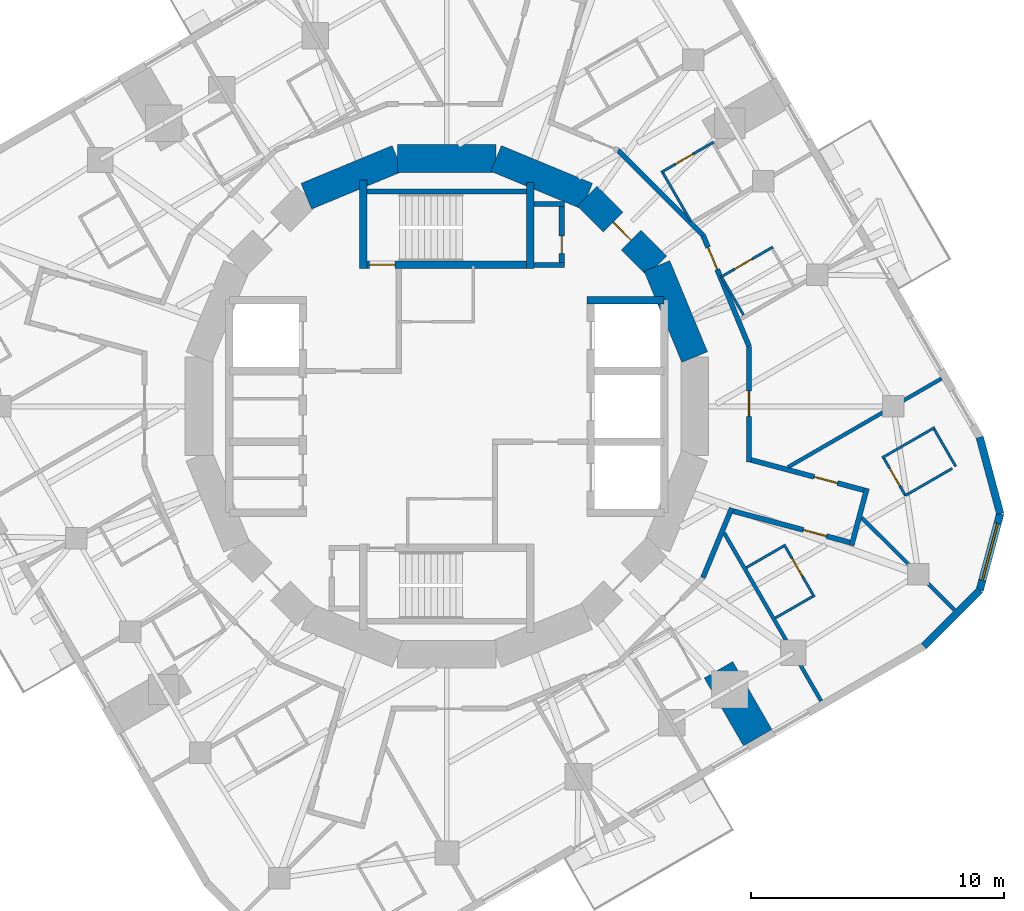
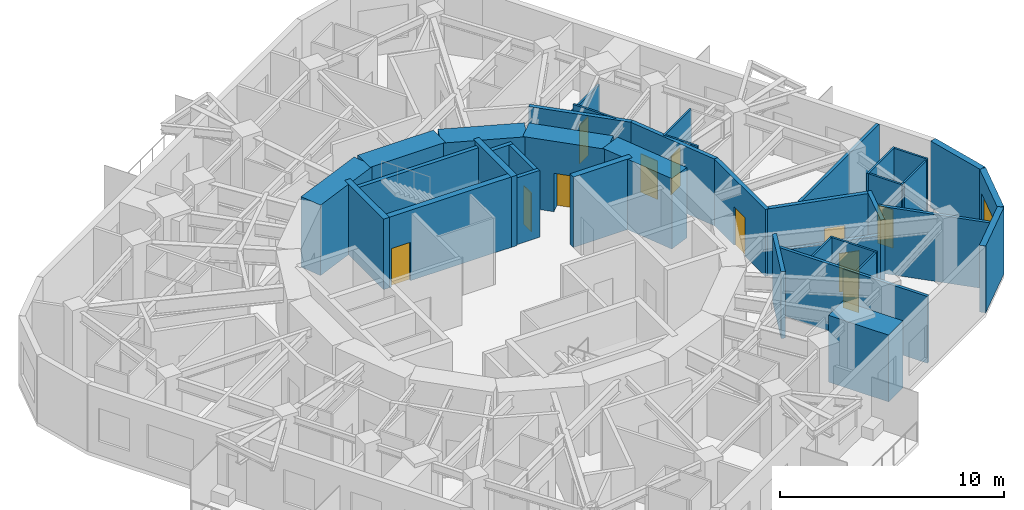
# One storey, part 7 of 11: 39 walls, 11 doors, 1 window, 12 openings.
"""IFC4 building model written with IfcOpenShell, lengths in metres."""

from ifc_helpers import new_model, si_unit, direction, frame, frame_2d, origin, place, context, subcontext, project, spatial, rectangle, extrude, material, layer, layer_set, type_object, element, fill, save


model = new_model("IFC4")

# Units and contexts
model_context = context("Model", 3, precision=1e-05, world=origin(), true_north=direction((0.0, 1.0)))
body_context = subcontext(model_context, "Body", "Model", "MODEL_VIEW")
ifc_project = project(units=[si_unit("LENGTHUNIT", "METRE"), si_unit("AREAUNIT", "SQUARE_METRE"), si_unit("VOLUMEUNIT", "CUBIC_METRE"), si_unit("PLANEANGLEUNIT", "RADIAN"), si_unit("MASSUNIT", "GRAM", prefix="KILO")], contexts=[model_context])

# Site, building, storey
site_placement = place(None, origin())
site = spatial("IfcSite", under=ifc_project, at=site_placement, CompositionType="ELEMENT")
building_placement = place(site_placement, origin())
building = spatial("IfcBuilding", under=site, at=building_placement, Name="Nakasero Lantern House", CompositionType="ELEMENT")
storey_placement = place(building_placement, frame((0.0, 0.0, 250.050048828125)))
storey = spatial("IfcBuildingStorey", under=building, at=storey_placement, Name="L61", CompositionType="ELEMENT", Elevation=250.050048828125)

# Walls
ifc_material_1 = material(Name="Blockwork", Category="masonry")
ifc_layer_1 = layer(ifc_material_1, 1.300048828125)
ifc_layer_set_1 = layer_set([ifc_layer_1], Name="Column pier 1300")
wall_type_1 = type_object("IfcWallType", Name="Column pier 1300", PredefinedType="PARTITIONING", material=ifc_layer_set_1)
wall_1_placement = place(storey_placement, frame((10.75048828125, -10.4208984375, 0.0), z_axis=(0.0, 0.0, 1.0), x_axis=(0.499933790963, -0.866063626216, 0.0)))
element("IfcWall", 1, at=wall_1_placement, inside=storey, type_object=wall_type_1, Name="Column pier L61 PN3-05", PredefinedType="PARTITIONING", context=body_context, shape_type="SweptSolid", body=[
    extrude(rectangle(XDim=3.10009765625, YDim=1.300048828125, at=frame_2d((1.550048828125, 0.0))), origin(), (0.0, 0.0, 1.0), 3.64990234375),
])
ifc_material_2 = material(Name="Concrete C50/60", Category="concrete")
ifc_layer_2 = layer(ifc_material_2, 0.300048828125)
ifc_layer_set_2 = layer_set([ifc_layer_2], Name="Core inner wall 300")
wall_type_2 = type_object("IfcWallType", Name="Core inner wall 300", PredefinedType="SHEAR", material=ifc_layer_set_2)
wall_2_placement = place(storey_placement, frame((5.550048828125, 4.199951171875, 0.0), z_axis=(0.0, 0.0, 1.0), x_axis=(1.0, 0.0, 0.0)))
element("IfcWall", 2, at=wall_2_placement, inside=storey, type_object=wall_type_2, Name="Core inner wall L61 LEN", PredefinedType="SHEAR", context=body_context, shape_type="SweptSolid", body=[
    extrude(rectangle(XDim=3.050048828125, YDim=0.300048828125, at=frame_2d((1.52490234375, 0.0))), origin(), (0.0, 0.0, 1.0), 3.849853515625),
])

# Wall, opening, door
wall_3_placement = place(storey_placement, frame((-3.449951171875, 5.60009765625, 0.0), z_axis=(0.0, 0.0, 1.0), x_axis=(1.0, 0.0, 0.0)))
wall_3 = element("IfcWall", 3, at=wall_3_placement, inside=storey, type_object=wall_type_2, Name="Core inner wall L61 SN", PredefinedType="SHEAR", context=body_context, shape_type="SweptSolid", body=[
    extrude(rectangle(XDim=6.89990234375, YDim=0.300048828125, at=frame_2d((3.449951171875, 0.0))), origin(), (0.0, 0.0, 1.0), 3.849853515625),
])
opening_1_placement = place(wall_3_placement, frame((0.39990234375, 0.0, 0.0)))
opening_1 = element("IfcOpeningElement", 4, at=opening_1_placement, cuts=wall_3, Name="Opening D05", PredefinedType="OPENING", context=body_context, shape_type="SweptSolid", body=[
    extrude(rectangle(XDim=1.0, YDim=2.10009765625, at=frame_2d((0.5, 1.050048828125))), frame((0.0, 0.169921875, 0.0), z_axis=(0.0, -1.0, 0.0), x_axis=(1.0, 0.0, 0.0)), (0.0, 0.0, 1.0), 0.340087890625),
])
ifc_material_3 = material(Name="Timber C24", Category="wood")
door_type_1 = type_object("IfcDoorType", Name="Core door FD60S 1000", OperationType="SINGLE_SWING_LEFT", PredefinedType="DOOR", material=ifc_material_3)
door_1_placement = place(opening_1_placement, origin())
door_1 = element("IfcDoor", 5, at=door_1_placement, inside=storey, type_object=door_type_1, Name="Door L61 D-ST1", OperationType="SINGLE_SWING_LEFT", OverallHeight=2.10009765625, OverallWidth=1.0, PredefinedType="DOOR", context=body_context, shape_type="SweptSolid", body=[
    extrude(rectangle(XDim=1.0, YDim=2.10009765625, at=frame_2d((0.5, 1.050048828125))), frame((0.0, 0.02490234375, 0.0), z_axis=(0.0, -1.0, 0.0), x_axis=(1.0, 0.0, 0.0)), (0.0, 0.0, 1.0), 0.050048828125),
])
fill(opening_1, door_1)

# Walls
wall_4_placement = place(storey_placement, frame((-3.300048828125, 5.449951171875, 0.0), z_axis=(0.0, 0.0, 1.0), x_axis=(0.0, 1.0, 0.0)))
element("IfcWall", 6, at=wall_4_placement, inside=storey, type_object=wall_type_2, Name="Core inner wall L61 SNW", PredefinedType="SHEAR", context=body_context, shape_type="SweptSolid", body=[
    extrude(rectangle(XDim=3.5, YDim=0.300048828125, at=frame_2d((1.75, 0.0))), origin(), (0.0, 0.0, 1.0), 3.849853515625),
])
wall_5_placement = place(storey_placement, frame((3.300048828125, 5.449951171875, 0.0), z_axis=(0.0, 0.0, 1.0), x_axis=(0.0, 1.0, 0.0)))
element("IfcWall", 7, at=wall_5_placement, inside=storey, type_object=wall_type_2, Name="Core inner wall L61 SNE", PredefinedType="SHEAR", context=body_context, shape_type="SweptSolid", body=[
    extrude(rectangle(XDim=3.400146484375, YDim=0.300048828125, at=frame_2d((1.7001953125, 0.0))), origin(), (0.0, 0.0, 1.0), 3.849853515625),
])
ifc_material_4 = material(Name="Concrete C50/60", Category="concrete")
ifc_layer_3 = layer(ifc_material_4, 1.10009765625)
ifc_layer_set_3 = layer_set([ifc_layer_3], Name="Core wall 1100")
wall_type_3 = type_object("IfcWallType", Name="Core wall 1100", PredefinedType="SHEAR", material=ifc_layer_set_3)
wall_6_placement = place(storey_placement, frame((9.807861328125, 1.950927734375, 0.0), z_axis=(0.0, 0.0, 1.0), x_axis=(-0.382690736062, 0.923876507187, 0.0)))
element("IfcWall", 8, at=wall_6_placement, inside=storey, type_object=wall_type_3, Name="Core wall L61 facet 1", PredefinedType="SHEAR", context=body_context, shape_type="SweptSolid", body=[
    extrude(rectangle(XDim=3.90185546875, YDim=1.10009765625, at=frame_2d((1.950927734375, 0.0))), origin(), (0.0, 0.0, 1.0), 3.849853515625),
])

# Wall, opening, door
wall_7_placement = place(storey_placement, frame((8.314697265625, 5.5556640625, 0.0), z_axis=(0.0, 0.0, 1.0), x_axis=(-0.707106781187, 0.707106781187, 0.0)))
wall_7 = element("IfcWall", 9, at=wall_7_placement, inside=storey, type_object=wall_type_3, Name="Core wall L61 facet 2", PredefinedType="SHEAR", context=body_context, shape_type="SweptSolid", body=[
    extrude(rectangle(XDim=3.90185546875, YDim=1.10009765625, at=frame_2d((1.950927734375, 0.0))), origin(), (0.0, 0.0, 1.0), 3.849853515625),
])
opening_2_placement = place(wall_7_placement, frame((1.450927734375, 0.0, 0.0)))
opening_2 = element("IfcOpeningElement", 10, at=opening_2_placement, cuts=wall_7, Name="Opening D05", PredefinedType="OPENING", context=body_context, shape_type="SweptSolid", body=[
    extrude(rectangle(XDim=1.0, YDim=2.10009765625, at=frame_2d((0.5, 1.050048828125))), frame((0.0, 0.570068359375, 0.0), z_axis=(0.0, -1.0, 0.0), x_axis=(1.0, 0.0, 0.0)), (0.0, 0.0, 1.0), 1.14013671875),
])
door_2_placement = place(opening_2_placement, origin())
door_2 = element("IfcDoor", 11, at=door_2_placement, inside=storey, type_object=door_type_1, Name="Door L61 D-CORE02", OperationType="SINGLE_SWING_LEFT", OverallHeight=2.10009765625, OverallWidth=1.0, PredefinedType="DOOR", context=body_context, shape_type="SweptSolid", body=[
    extrude(rectangle(XDim=1.0, YDim=2.10009765625, at=frame_2d((0.5, 1.050048828125))), frame((0.0, 0.02490234375, 0.0), z_axis=(0.0, -1.0, 0.0), x_axis=(1.0, 0.0, 0.0)), (0.0, 0.0, 1.0), 0.050048828125),
])
fill(opening_2, door_2)

# Walls
for number, where, z_axis, x_axis, name in (
    (12, (5.5556640625, 8.314697265625, 0.0), (0.0, 0.0, 1.0), (-0.923876507187, 0.382690736062, 0.0), "Core wall L61 facet 3"),
    (13, (1.950927734375, 9.807861328125, 0.0), (0.0, 0.0, 1.0), (-1.0, 0.0, 0.0), "Core wall L61 facet 4"),
    (14, (-1.950927734375, 9.807861328125, 0.0), (0.0, 0.0, 1.0), (-0.923876507187, -0.382690736062, 0.0), "Core wall L61 facet 5"),
):
    element("IfcWall", number, at=place(storey_placement, frame(where, z_axis=z_axis, x_axis=x_axis)), inside=storey, type_object=wall_type_3, Name=name, PredefinedType="SHEAR", context=body_context, shape_type="SweptSolid", body=[
        extrude(rectangle(XDim=3.90185546875, YDim=1.10009765625, at=frame_2d((1.950927734375, 0.0))), origin(), (0.0, 0.0, 1.0), 3.849853515625),
    ])

# Wall, opening, door
ifc_material_5 = material(Name="Blockwork", Category="masonry")
ifc_layer_4 = layer(ifc_material_5, 0.199951171875)
ifc_layer_set_4 = layer_set([ifc_layer_4], Name="Corridor wall 200")
wall_type_4 = type_object("IfcWallType", Name="Corridor wall 200", PredefinedType="PARTITIONING", material=ifc_layer_set_4)
wall_8_placement = place(storey_placement, frame((11.957763671875, 2.378662109375, 0.0), z_axis=(0.0, 0.0, 1.0), x_axis=(0.0, -1.0, 0.0)))
wall_8 = element("IfcWall", 15, at=wall_8_placement, inside=storey, type_object=wall_type_4, Name="Corridor wall L61 RC00a", PredefinedType="PARTITIONING", context=body_context, shape_type="SweptSolid", body=[
    extrude(rectangle(XDim=4.57861328125, YDim=0.199951171875, at=frame_2d((2.289306640625, 0.0))), origin(), (0.0, 0.0, 1.0), 3.64990234375),
])
opening_3_placement = place(wall_8_placement, frame((1.77001953125, 0.0, 0.0)))
opening_3 = element("IfcOpeningElement", 16, at=opening_3_placement, cuts=wall_8, Name="Opening D03", PredefinedType="OPENING", context=body_context, shape_type="SweptSolid", body=[
    extrude(rectangle(XDim=1.0, YDim=2.10009765625, at=frame_2d((0.5, 1.050048828125))), frame((0.0, 0.119873046875, 0.0), z_axis=(0.0, -1.0, 0.0), x_axis=(1.0, 0.0, 0.0)), (0.0, 0.0, 1.0), 0.239990234375),
])
ifc_material_6 = material(Name="Timber C24", Category="wood")
door_type_2 = type_object("IfcDoorType", Name="Lounge door FD30S 1000", OperationType="SINGLE_SWING_LEFT", PredefinedType="DOOR", material=ifc_material_6)
door_3_placement = place(opening_3_placement, origin())
door_3 = element("IfcDoor", 17, at=door_3_placement, inside=storey, type_object=door_type_2, Name="Door L61 DK0", OperationType="SINGLE_SWING_LEFT", OverallHeight=2.10009765625, OverallWidth=1.0, PredefinedType="DOOR", context=body_context, shape_type="SweptSolid", body=[
    extrude(rectangle(XDim=1.0, YDim=2.10009765625, at=frame_2d((0.5, 1.050048828125))), frame((0.0, 0.02490234375, 0.0), z_axis=(0.0, -1.0, 0.0), x_axis=(1.0, 0.0, 0.0)), (0.0, 0.0, 1.0), 0.050048828125),
])
fill(opening_3, door_3)

# Walls
wall_9_placement = place(storey_placement, frame((11.275634765625, -4.025634765625, 0.0), z_axis=(0.0, 0.0, 1.0), x_axis=(-0.382656259044, -0.923890787601, 0.0)))
element("IfcWall", 18, at=wall_9_placement, inside=storey, type_object=wall_type_4, Name="Corridor wall L61 RC01a", PredefinedType="PARTITIONING", context=body_context, shape_type="SweptSolid", body=[
    extrude(rectangle(XDim=2.974365234375, YDim=0.199951171875, at=frame_2d((1.4873046875, 0.0))), origin(), (0.0, 0.0, 1.0), 3.64990234375),
])
wall_10_placement = place(storey_placement, frame((6.773681640625, 10.137451171875, 0.0), z_axis=(0.0, 0.0, 1.0), x_axis=(0.707106781187, -0.707106781187, 0.0)))
element("IfcWall", 19, at=wall_10_placement, inside=storey, type_object=wall_type_4, Name="Corridor wall L61 RC14a", PredefinedType="PARTITIONING", context=body_context, shape_type="SweptSolid", body=[
    extrude(rectangle(XDim=4.757080078125, YDim=0.199951171875, at=frame_2d((2.37841796875, 0.0))), origin(), (0.0, 0.0, 1.0), 3.64990234375),
])

# Wall, opening, door
wall_11_placement = place(storey_placement, frame((10.137451171875, 6.773681640625, 0.0), z_axis=(0.0, 0.0, 1.0), x_axis=(0.382653970627, -0.923891735412, 0.0)))
wall_11 = element("IfcWall", 20, at=wall_11_placement, inside=storey, type_object=wall_type_4, Name="Corridor wall L61 RC15a", PredefinedType="PARTITIONING", context=body_context, shape_type="SweptSolid", body=[
    extrude(rectangle(XDim=4.757080078125, YDim=0.199951171875, at=frame_2d((2.37841796875, 0.0))), origin(), (0.0, 0.0, 1.0), 3.64990234375),
])
opening_4_placement = place(wall_11_placement, frame((0.52001953125, 0.0, 0.0)))
opening_4 = element("IfcOpeningElement", 21, at=opening_4_placement, cuts=wall_11, Name="Opening D01", PredefinedType="OPENING", context=body_context, shape_type="SweptSolid", body=[
    extrude(rectangle(XDim=0.949951171875, YDim=2.10009765625, at=frame_2d((0.47509765625, 1.050048828125))), frame((0.0, 0.119873046875, 0.0), z_axis=(0.0, -1.0, 0.0), x_axis=(1.0, 0.0, 0.0)), (0.0, 0.0, 1.0), 0.239990234375),
])
ifc_material_7 = material(Name="Timber C24", Category="wood")
door_type_3 = type_object("IfcDoorType", Name="Bedroom door FD30S 950", OperationType="SINGLE_SWING_LEFT", PredefinedType="DOOR", material=ifc_material_7)
door_4_placement = place(opening_4_placement, origin())
door_4 = element("IfcDoor", 22, at=door_4_placement, inside=storey, type_object=door_type_3, Name="Door L61 D0-03", OperationType="SINGLE_SWING_LEFT", OverallHeight=2.10009765625, OverallWidth=0.949951171875, PredefinedType="DOOR", context=body_context, shape_type="SweptSolid", body=[
    extrude(rectangle(XDim=0.949951171875, YDim=2.10009765625, at=frame_2d((0.47509765625, 1.050048828125))), frame((0.0, 0.02490234375, 0.0), z_axis=(0.0, -1.0, 0.0), x_axis=(1.0, 0.0, 0.0)), (0.0, 0.0, 1.0), 0.050048828125),
])
fill(opening_4, door_4)

wall_12_placement = place(storey_placement, frame((11.237060546875, -4.11865234375, 0.0), z_axis=(0.0, 0.0, 1.0), x_axis=(0.965923565769, -0.258827481333, 0.0)))
wall_12 = element("IfcWall", 23, at=wall_12_placement, inside=storey, type_object=wall_type_4, Name="Corridor wall L61 SP3a", PredefinedType="PARTITIONING", context=body_context, shape_type="SweptSolid", body=[
    extrude(rectangle(XDim=5.07373046875, YDim=0.199951171875, at=frame_2d((2.536865234375, 0.0))), origin(), (0.0, 0.0, 1.0), 2.809326171875),
])
opening_5_placement = place(wall_12_placement, frame((2.969970703125, 0.0, 0.0)))
opening_5 = element("IfcOpeningElement", 24, at=opening_5_placement, cuts=wall_12, Name="Opening D01", PredefinedType="OPENING", context=body_context, shape_type="SweptSolid", body=[
    extrude(rectangle(XDim=0.949951171875, YDim=2.10009765625, at=frame_2d((0.47509765625, 1.050048828125))), frame((0.0, 0.119873046875, 0.0), z_axis=(0.0, -1.0, 0.0), x_axis=(1.0, 0.0, 0.0)), (0.0, 0.0, 1.0), 0.239990234375),
])
door_5_placement = place(opening_5_placement, origin())
door_5 = element("IfcDoor", 25, at=door_5_placement, inside=storey, type_object=door_type_3, Name="Door L61 D3-06", OperationType="SINGLE_SWING_RIGHT", OverallHeight=2.10009765625, OverallWidth=0.949951171875, PredefinedType="DOOR", context=body_context, shape_type="SweptSolid", body=[
    extrude(rectangle(XDim=0.949951171875, YDim=2.10009765625, at=frame_2d((0.47509765625, 1.050048828125))), frame((0.0, 0.02490234375, 0.0), z_axis=(0.0, -1.0, 0.0), x_axis=(1.0, 0.0, 0.0)), (0.0, 0.0, 1.0), 0.050048828125),
])
fill(opening_5, door_5)

wall_13_placement = place(storey_placement, frame((11.957763671875, -2.096435546875, 0.0), z_axis=(0.0, 0.0, 1.0), x_axis=(0.965932486884, -0.258794186145, 0.0)))
wall_13 = element("IfcWall", 26, at=wall_13_placement, inside=storey, type_object=wall_type_4, Name="Corridor wall L61 SP3b", PredefinedType="PARTITIONING", context=body_context, shape_type="SweptSolid", body=[
    extrude(rectangle(XDim=4.90087890625, YDim=0.199951171875, at=frame_2d((2.450439453125, 0.0))), origin(), (0.0, 0.0, 1.0), 3.64990234375),
])
opening_6_placement = place(wall_13_placement, frame((2.669921875, 0.0, 0.0)))
opening_6 = element("IfcOpeningElement", 27, at=opening_6_placement, cuts=wall_13, Name="Opening D01", PredefinedType="OPENING", context=body_context, shape_type="SweptSolid", body=[
    extrude(rectangle(XDim=0.949951171875, YDim=2.10009765625, at=frame_2d((0.47509765625, 1.050048828125))), frame((0.0, 0.119873046875, 0.0), z_axis=(0.0, -1.0, 0.0), x_axis=(1.0, 0.0, 0.0)), (0.0, 0.0, 1.0), 0.239990234375),
])
door_6_placement = place(opening_6_placement, origin())
door_6 = element("IfcDoor", 28, at=door_6_placement, inside=storey, type_object=door_type_3, Name="Door L61 D0-00", OperationType="SINGLE_SWING_RIGHT", OverallHeight=2.10009765625, OverallWidth=0.949951171875, PredefinedType="DOOR", context=body_context, shape_type="SweptSolid", body=[
    extrude(rectangle(XDim=0.949951171875, YDim=2.10009765625, at=frame_2d((0.47509765625, 1.050048828125))), frame((0.0, 0.02490234375, 0.0), z_axis=(0.0, -1.0, 0.0), x_axis=(1.0, 0.0, 0.0)), (0.0, 0.0, 1.0), 0.050048828125),
])
fill(opening_6, door_6)

# Walls
wall_14_placement = place(storey_placement, frame((16.015380859375, -5.502685546875, 0.0), z_axis=(0.0, 0.0, 1.0), x_axis=(0.258850815837, 0.965917312786, 0.0)))
element("IfcWall", 29, at=wall_14_placement, inside=storey, type_object=wall_type_4, Name="Corridor wall L61 SP3e", PredefinedType="PARTITIONING", context=body_context, shape_type="SweptSolid", body=[
    extrude(rectangle(XDim=2.340087890625, YDim=0.199951171875, at=frame_2d((1.169921875, 0.0))), origin(), (0.0, 0.0, 1.0), 3.64990234375),
])
ifc_material_8 = material(Name="Blockwork", Category="masonry")
ifc_layer_5 = layer(ifc_material_8, 0.10009765625)
ifc_layer_set_5 = layer_set([ifc_layer_5], Name="En-suite wall 100")
wall_type_5 = type_object("IfcWallType", Name="En-suite wall 100", PredefinedType="PARTITIONING", material=ifc_layer_set_5)
wall_15_placement = place(storey_placement, frame((17.225341796875, -2.034912109375, 0.0), z_axis=(0.0, 0.0, 1.0), x_axis=(0.866024647952, 0.500001309137, 0.0)))
element("IfcWall", 30, at=wall_15_placement, inside=storey, type_object=wall_type_5, Name="En-suite wall L61 ES0-00", PredefinedType="PARTITIONING", context=body_context, shape_type="SweptSolid", body=[
    extrude(rectangle(XDim=2.39990234375, YDim=0.10009765625, at=frame_2d((1.199951171875, 0.0))), origin(), (0.0, 0.0, 1.0), 3.64990234375),
])
wall_16_placement = place(storey_placement, frame((20.135498046875, -2.37548828125, 0.0), z_axis=(0.0, 0.0, 1.0), x_axis=(-0.500062241894, 0.865989465428, 0.0)))
element("IfcWall", 31, at=wall_16_placement, inside=storey, type_object=wall_type_5, Name="En-suite wall L61 EE0-00", PredefinedType="PARTITIONING", context=body_context, shape_type="SweptSolid", body=[
    extrude(rectangle(XDim=1.699951171875, YDim=0.10009765625, at=frame_2d((0.85009765625, 0.0))), origin(), (0.0, 0.0, 1.0), 3.64990234375),
])

# Wall, opening, door
wall_17_placement = place(storey_placement, frame((18.1435546875, -3.525634765625, 0.0), z_axis=(0.0, 0.0, 1.0), x_axis=(-0.500000056704, 0.866025371046, 0.0)))
wall_17 = element("IfcWall", 32, at=wall_17_placement, inside=storey, type_object=wall_type_5, Name="En-suite wall L61 EI0-00", PredefinedType="PARTITIONING", context=body_context, shape_type="SweptSolid", body=[
    extrude(rectangle(XDim=1.7001953125, YDim=0.10009765625, at=frame_2d((0.85009765625, 0.0))), origin(), (0.0, 0.0, 1.0), 3.64990234375),
])
opening_7_placement = place(wall_17_placement, frame((0.449951171875, 0.0, 0.0)))
opening_7 = element("IfcOpeningElement", 33, at=opening_7_placement, cuts=wall_17, Name="Opening D02", PredefinedType="OPENING", context=body_context, shape_type="SweptSolid", body=[
    extrude(rectangle(XDim=0.800048828125, YDim=2.10009765625, at=frame_2d((0.39990234375, 1.050048828125))), frame((0.0, 0.070068359375, 0.0), z_axis=(0.0, -1.0, 0.0), x_axis=(1.0, 0.0, 0.0)), (0.0, 0.0, 1.0), 0.14013671875),
])
ifc_material_9 = material(Name="Timber C24", Category="wood")
door_type_4 = type_object("IfcDoorType", Name="En-suite door 800", OperationType="SINGLE_SWING_RIGHT", PredefinedType="DOOR", material=ifc_material_9)
door_7_placement = place(opening_7_placement, origin())
door_7 = element("IfcDoor", 34, at=door_7_placement, inside=storey, type_object=door_type_4, Name="Door L61 DE0-00", OperationType="SINGLE_SWING_RIGHT", OverallHeight=2.10009765625, OverallWidth=0.800048828125, PredefinedType="DOOR", context=body_context, shape_type="SweptSolid", body=[
    extrude(rectangle(XDim=0.800048828125, YDim=2.10009765625, at=frame_2d((0.39990234375, 1.050048828125))), frame((0.0, 0.02490234375, 0.0), z_axis=(0.0, -1.0, 0.0), x_axis=(1.0, 0.0, 0.0)), (0.0, 0.0, 1.0), 0.050048828125),
])
fill(opening_7, door_7)

wall_18_placement = place(storey_placement, frame((10.822509765625, 5.104736328125, 0.0), z_axis=(0.0, 0.0, 1.0), x_axis=(0.866024647952, 0.500001309137, 0.0)))
wall_18 = element("IfcWall", 35, at=wall_18_placement, inside=storey, type_object=wall_type_5, Name="En-suite wall L61 ES0-03", PredefinedType="PARTITIONING", context=body_context, shape_type="SweptSolid", body=[
    extrude(rectangle(XDim=2.39990234375, YDim=0.10009765625, at=frame_2d((1.199951171875, 0.0))), origin(), (0.0, 0.0, 1.0), 3.64990234375),
])
opening_8_placement = place(wall_18_placement, frame((0.64990234375, 0.0, 0.0)))
opening_8 = element("IfcOpeningElement", 36, at=opening_8_placement, cuts=wall_18, Name="Opening D02", PredefinedType="OPENING", context=body_context, shape_type="SweptSolid", body=[
    extrude(rectangle(XDim=0.800048828125, YDim=2.10009765625, at=frame_2d((0.39990234375, 1.050048828125))), frame((0.0, 0.070068359375, 0.0), z_axis=(0.0, -1.0, 0.0), x_axis=(1.0, 0.0, 0.0)), (0.0, 0.0, 1.0), 0.14013671875),
])
door_8_placement = place(opening_8_placement, origin())
door_8 = element("IfcDoor", 37, at=door_8_placement, inside=storey, type_object=door_type_4, Name="Door L61 DE0-03", OperationType="SINGLE_SWING_LEFT", OverallHeight=2.10009765625, OverallWidth=0.800048828125, PredefinedType="DOOR", context=body_context, shape_type="SweptSolid", body=[
    extrude(rectangle(XDim=0.800048828125, YDim=2.10009765625, at=frame_2d((0.39990234375, 1.050048828125))), frame((0.0, 0.02490234375, 0.0), z_axis=(0.0, -1.0, 0.0), x_axis=(1.0, 0.0, 0.0)), (0.0, 0.0, 1.0), 0.050048828125),
])
fill(opening_8, door_8)

# Wall
wall_19_placement = place(storey_placement, frame((11.74072265625, 3.614013671875, 0.0), z_axis=(0.0, 0.0, 1.0), x_axis=(-0.499892348375, 0.866087547558, 0.0)))
element("IfcWall", 38, at=wall_19_placement, inside=storey, type_object=wall_type_5, Name="En-suite wall L61 EI0-03", PredefinedType="PARTITIONING", context=body_context, shape_type="SweptSolid", body=[
    extrude(rectangle(XDim=1.699951171875, YDim=0.10009765625, at=frame_2d((0.85009765625, 0.0))), origin(), (0.0, 0.0, 1.0), 3.64990234375),
])

# Wall, opening, door
wall_20_placement = place(storey_placement, frame((8.482177734375, 9.257080078125, 0.0), z_axis=(0.0, 0.0, 1.0), x_axis=(0.865980596518, 0.500077600433, 0.0)))
wall_20 = element("IfcWall", 39, at=wall_20_placement, inside=storey, type_object=wall_type_5, Name="En-suite wall L61 ES0-04", PredefinedType="PARTITIONING", context=body_context, shape_type="SweptSolid", body=[
    extrude(rectangle(XDim=2.39990234375, YDim=0.10009765625, at=frame_2d((1.199951171875, 0.0))), origin(), (0.0, 0.0, 1.0), 3.294921875),
])
opening_9_placement = place(wall_20_placement, frame((0.64990234375, 0.0, 0.0)))
opening_9 = element("IfcOpeningElement", 40, at=opening_9_placement, cuts=wall_20, Name="Opening D02", PredefinedType="OPENING", context=body_context, shape_type="SweptSolid", body=[
    extrude(rectangle(XDim=0.800048828125, YDim=2.10009765625, at=frame_2d((0.39990234375, 1.050048828125))), frame((0.0, 0.070068359375, 0.0), z_axis=(0.0, -1.0, 0.0), x_axis=(1.0, 0.0, 0.0)), (0.0, 0.0, 1.0), 0.14013671875),
])
door_9_placement = place(opening_9_placement, origin())
door_9 = element("IfcDoor", 41, at=door_9_placement, inside=storey, type_object=door_type_4, Name="Door L61 DE0-04", OperationType="SINGLE_SWING_LEFT", OverallHeight=2.10009765625, OverallWidth=0.800048828125, PredefinedType="DOOR", context=body_context, shape_type="SweptSolid", body=[
    extrude(rectangle(XDim=0.800048828125, YDim=2.10009765625, at=frame_2d((0.39990234375, 1.050048828125))), frame((0.0, 0.02490234375, 0.0), z_axis=(0.0, -1.0, 0.0), x_axis=(1.0, 0.0, 0.0)), (0.0, 0.0, 1.0), 0.050048828125),
])
fill(opening_9, door_9)

# Wall
wall_21_placement = place(storey_placement, frame((9.650390625, 7.333740234375, 0.0), z_axis=(0.0, 0.0, 1.0), x_axis=(-0.499994660107, 0.866028486751, 0.0)))
element("IfcWall", 42, at=wall_21_placement, inside=storey, type_object=wall_type_5, Name="En-suite wall L61 EI0-04", PredefinedType="PARTITIONING", context=body_context, shape_type="SweptSolid", body=[
    extrude(rectangle(XDim=2.19970703125, YDim=0.10009765625, at=frame_2d((1.099853515625, 0.0))), origin(), (0.0, 0.0, 1.0), 3.64990234375),
])

# Wall, opening, door
wall_22_placement = place(storey_placement, frame((13.342041015625, -5.46044921875, 0.0), z_axis=(0.0, 0.0, 1.0), x_axis=(0.500033551112, -0.866006032174, 0.0)))
wall_22 = element("IfcWall", 43, at=wall_22_placement, inside=storey, type_object=wall_type_5, Name="En-suite wall L61 ES3-06", PredefinedType="PARTITIONING", context=body_context, shape_type="SweptSolid", body=[
    extrude(rectangle(XDim=2.400146484375, YDim=0.10009765625, at=frame_2d((1.2001953125, 0.0))), origin(), (0.0, 0.0, 1.0), 3.64990234375),
])
opening_10_placement = place(wall_22_placement, frame((0.64990234375, 0.0, 0.0)))
opening_10 = element("IfcOpeningElement", 44, at=opening_10_placement, cuts=wall_22, Name="Opening D02", PredefinedType="OPENING", context=body_context, shape_type="SweptSolid", body=[
    extrude(rectangle(XDim=0.800048828125, YDim=2.10009765625, at=frame_2d((0.39990234375, 1.050048828125))), frame((0.0, 0.070068359375, 0.0), z_axis=(0.0, -1.0, 0.0), x_axis=(1.0, 0.0, 0.0)), (0.0, 0.0, 1.0), 0.14013671875),
])
door_10_placement = place(opening_10_placement, origin())
door_10 = element("IfcDoor", 45, at=door_10_placement, inside=storey, type_object=door_type_4, Name="Door L61 DE3-06", OperationType="SINGLE_SWING_LEFT", OverallHeight=2.10009765625, OverallWidth=0.800048828125, PredefinedType="DOOR", context=body_context, shape_type="SweptSolid", body=[
    extrude(rectangle(XDim=0.800048828125, YDim=2.10009765625, at=frame_2d((0.39990234375, 1.050048828125))), frame((0.0, 0.02490234375, 0.0), z_axis=(0.0, -1.0, 0.0), x_axis=(1.0, 0.0, 0.0)), (0.0, 0.0, 1.0), 0.050048828125),
])
fill(opening_10, door_10)

# Walls
for number, where, z_axis, x_axis, name in (
    (46, (13.001708984375, -8.37060546875, 0.0), (0.0, 0.0, 1.0), (0.86605165483, 0.499954529098, 0.0), "En-suite wall L61 EE3-06"),
    (47, (11.8515625, -6.37890625, 0.0), (0.0, 0.0, 1.0), (0.865989465428, 0.500062241894, 0.0), "En-suite wall L61 EI3-06"),
):
    element("IfcWall", number, at=place(storey_placement, frame(where, z_axis=z_axis, x_axis=x_axis)), inside=storey, type_object=wall_type_5, Name=name, PredefinedType="PARTITIONING", context=body_context, shape_type="SweptSolid", body=[
        extrude(rectangle(XDim=1.699951171875, YDim=0.10009765625, at=frame_2d((0.85009765625, 0.0))), origin(), (0.0, 0.0, 1.0), 3.64990234375),
    ])
wall_23_placement = place(storey_placement, frame((18.2822265625, -3.445556640625, 0.0), z_axis=(0.0, 0.0, 1.0), x_axis=(0.866011036969, 0.500024883228, 0.0)))
element("IfcWall", 48, at=wall_23_placement, inside=storey, type_object=wall_type_5, Name="En-suite wall L61 EX000", PredefinedType="PARTITIONING", context=body_context, shape_type="SweptSolid", body=[
    extrude(rectangle(XDim=1.97998046875, YDim=0.10009765625, at=frame_2d((0.989990234375, 0.0))), origin(), (0.0, 0.0, 1.0), 3.64990234375),
])
wall_24_placement = place(storey_placement, frame((18.1435546875, -3.525634765625, 0.0), z_axis=(0.0, 0.0, 1.0), x_axis=(0.865982457891, 0.500074377092, 0.0)))
element("IfcWall", 49, at=wall_24_placement, inside=storey, type_object=wall_type_5, Name="En-suite wall L61 EI0-00R0", PredefinedType="PARTITIONING", context=body_context, shape_type="SweptSolid", body=[
    extrude(rectangle(XDim=0.16015625, YDim=0.10009765625, at=frame_2d((0.080078125, 0.0))), origin(), (0.0, 0.0, 1.0), 3.64990234375),
])
ifc_material_10 = material(Name="Aluminium rainscreen on blockwork", Category="masonry")
ifc_layer_6 = layer(ifc_material_10, 0.300048828125)
ifc_layer_set_6 = layer_set([ifc_layer_6], Name="Facade wall 300")
wall_type_6 = type_object("IfcWallType", Name="Facade wall 300", PredefinedType="SOLIDWALL", material=ifc_layer_set_6)
wall_25_placement = place(storey_placement, frame((18.870849609375, -9.4853515625, 0.0), z_axis=(0.0, 0.0, 1.0), x_axis=(0.707145758492, 0.707067801733, 0.0)))
element("IfcWall", 50, at=wall_25_placement, inside=storey, type_object=wall_type_6, Name="Facade wall L61 FW3C1", PredefinedType="SOLIDWALL", context=body_context, shape_type="SweptSolid", body=[
    extrude(rectangle(XDim=3.1318359375, YDim=0.300048828125, at=frame_2d((1.56591796875, 0.0))), origin(), (0.0, 0.0, 1.0), 3.64990234375),
])

# Wall, opening, window
wall_26_placement = place(storey_placement, frame((21.08544921875, -7.27099609375, 0.0), z_axis=(0.0, 0.0, 1.0), x_axis=(0.258807521156, 0.965928914048, 0.0)))
wall_26 = element("IfcWall", 51, at=wall_26_placement, inside=storey, type_object=wall_type_6, Name="Facade wall L61 FW3C2", PredefinedType="SOLIDWALL", context=body_context, shape_type="SweptSolid", body=[
    extrude(rectangle(XDim=3.1318359375, YDim=0.300048828125, at=frame_2d((1.56591796875, 0.0))), origin(), (0.0, 0.0, 1.0), 3.64990234375),
])
opening_11_placement = place(wall_26_placement, frame((0.39990234375, 0.0, 0.75)))
opening_11 = element("IfcOpeningElement", 52, at=opening_11_placement, cuts=wall_26, Name="Opening W223", PredefinedType="OPENING", context=body_context, shape_type="SweptSolid", body=[
    extrude(rectangle(XDim=2.33203125, YDim=1.800048828125, at=frame_2d((1.166015625, 0.89990234375))), frame((0.0, 0.169921875, 0.0), z_axis=(0.0, -1.0, 0.0), x_axis=(1.0, 0.0, 0.0)), (0.0, 0.0, 1.0), 0.340087890625),
])
ifc_material_11 = material(Name="Aluminium 6063-T6 and glass", Category="aluminium")
window_type = type_object("IfcWindowType", Name="Corner window 2332x1800", PartitioningType="SINGLE_PANEL", PredefinedType="WINDOW", material=ifc_material_11)
window_placement = place(opening_11_placement, origin())
window = element("IfcWindow", 53, at=window_placement, inside=storey, type_object=window_type, Name="Window L61 WC3", OverallHeight=1.800048828125, OverallWidth=2.33203125, PartitioningType="SINGLE_PANEL", PredefinedType="WINDOW", context=body_context, shape_type="SweptSolid", body=[
    extrude(rectangle(XDim=2.33203125, YDim=1.800048828125, at=frame_2d((1.166015625, 0.89990234375))), frame((0.0, 0.030029296875, 0.0), z_axis=(0.0, -1.0, 0.0), x_axis=(1.0, 0.0, 0.0)), (0.0, 0.0, 1.0), 0.06005859375),
])
fill(opening_11, window)

# Wall
wall_27_placement = place(storey_placement, frame((21.89599609375, -4.245849609375, 0.0), z_axis=(0.0, 0.0, 1.0), x_axis=(-0.258827010283, 0.96592369199, 0.0)))
element("IfcWall", 54, at=wall_27_placement, inside=storey, type_object=wall_type_6, Name="Facade wall L61 FW3C3", PredefinedType="SOLIDWALL", context=body_context, shape_type="SweptSolid", body=[
    extrude(rectangle(XDim=3.131591796875, YDim=0.300048828125, at=frame_2d((1.56591796875, 0.0))), origin(), (0.0, 0.0, 1.0), 3.64990234375),
])

# Wall, opening, door
ifc_material_12 = material(Name="Blockwork", Category="masonry")
ifc_layer_7 = layer(ifc_material_12, 0.199951171875)
ifc_layer_set_7 = layer_set([ifc_layer_7], Name="Fire lobby wall 200")
wall_type_7 = type_object("IfcWallType", Name="Fire lobby wall 200", PredefinedType="PARTITIONING", material=ifc_layer_set_7)
wall_28_placement = place(storey_placement, frame((4.550048828125, 5.60009765625, 0.0), z_axis=(0.0, 0.0, 1.0), x_axis=(0.0, 1.0, 0.0)))
wall_28 = element("IfcWall", 55, at=wall_28_placement, inside=storey, type_object=wall_type_7, Name="Fire lobby wall L61 W-RS1E", PredefinedType="PARTITIONING", context=body_context, shape_type="SweptSolid", body=[
    extrude(rectangle(XDim=2.39990234375, YDim=0.199951171875, at=frame_2d((1.199951171875, 0.0))), origin(), (0.0, 0.0, 1.0), 3.64990234375),
])
opening_12_placement = place(wall_28_placement, frame((0.449951171875, 0.0, 0.0)))
opening_12 = element("IfcOpeningElement", 56, at=opening_12_placement, cuts=wall_28, Name="Opening D06", PredefinedType="OPENING", context=body_context, shape_type="SweptSolid", body=[
    extrude(rectangle(XDim=0.699951171875, YDim=2.10009765625, at=frame_2d((0.35009765625, 1.050048828125))), frame((0.0, 0.119873046875, 0.0), z_axis=(0.0, -1.0, 0.0), x_axis=(1.0, 0.0, 0.0)), (0.0, 0.0, 1.0), 0.239990234375),
])
ifc_material_13 = material(Name="Steel S355", Category="steel")
door_type_5 = type_object("IfcDoorType", Name="Riser door FD60 700", OperationType="SINGLE_SWING_LEFT", PredefinedType="DOOR", material=ifc_material_13)
door_11_placement = place(opening_12_placement, origin())
door_11 = element("IfcDoor", 57, at=door_11_placement, inside=storey, type_object=door_type_5, Name="Door L61 D-RS1", OperationType="SINGLE_SWING_LEFT", OverallHeight=2.10009765625, OverallWidth=0.699951171875, PredefinedType="DOOR", context=body_context, shape_type="SweptSolid", body=[
    extrude(rectangle(XDim=0.699951171875, YDim=2.10009765625, at=frame_2d((0.35009765625, 1.050048828125))), frame((0.0, 0.02490234375, 0.0), z_axis=(0.0, -1.0, 0.0), x_axis=(1.0, 0.0, 0.0)), (0.0, 0.0, 1.0), 0.050048828125),
])
fill(opening_12, door_11)

# Walls
for number, where, z_axis, x_axis, name in (
    (58, (3.449951171875, 8.0, 0.0), (0.0, 0.0, 1.0), (1.0, 0.0, 0.0), "Fire lobby wall L61 W-RS1N"),
    (59, (3.449951171875, 5.60009765625, 0.0), (0.0, 0.0, 1.0), (1.0, 0.0, 0.0), "Fire lobby wall L61 W-RS1S"),
):
    element("IfcWall", number, at=place(storey_placement, frame(where, z_axis=z_axis, x_axis=x_axis)), inside=storey, type_object=wall_type_7, Name=name, PredefinedType="PARTITIONING", context=body_context, shape_type="SweptSolid", body=[
        extrude(rectangle(XDim=1.199951171875, YDim=0.199951171875, at=frame_2d((0.60009765625, 0.0))), origin(), (0.0, 0.0, 1.0), 3.64990234375),
    ])
wall_29_placement = place(storey_placement, frame((-3.300048828125, 8.5, 0.0), z_axis=(0.0, 0.0, 1.0), x_axis=(1.0, 0.0, 0.0)))
element("IfcWall", 60, at=wall_29_placement, inside=storey, type_object=wall_type_7, Name="Fire lobby wall L61 W-STN", PredefinedType="PARTITIONING", context=body_context, shape_type="SweptSolid", body=[
    extrude(rectangle(XDim=6.60009765625, YDim=0.199951171875, at=frame_2d((3.300048828125, 0.0))), origin(), (0.0, 0.0, 1.0), 3.64990234375),
])
ifc_material_14 = material(Name="Blockwork", Category="masonry")
ifc_layer_8 = layer(ifc_material_14, 0.14990234375)
ifc_layer_set_8 = layer_set([ifc_layer_8], Name="Party wall 150")
wall_type_8 = type_object("IfcWallType", Name="Party wall 150", PredefinedType="PARTITIONING", material=ifc_layer_set_8)
wall_30_placement = place(storey_placement, frame((13.499755859375, -2.406005859375, 0.0), z_axis=(0.0, 0.0, 1.0), x_axis=(0.866016859018, 0.500014799677, 0.0)))
element("IfcWall", 61, at=wall_30_placement, inside=storey, type_object=wall_type_8, Name="Party wall L61 PW0-01", PredefinedType="PARTITIONING", context=body_context, shape_type="SweptSolid", body=[
    extrude(rectangle(XDim=7.011962890625, YDim=0.14990234375, at=frame_2d((3.505859375, 0.0))), origin(), (0.0, 0.0, 1.0), 3.64990234375),
])
wall_31_placement = place(storey_placement, frame((10.9755859375, -5.011474609375, 0.0), z_axis=(0.0, 0.0, 1.0), x_axis=(0.499985976588, -0.866033500054, 0.0)))
element("IfcWall", 62, at=wall_31_placement, inside=storey, type_object=wall_type_8, Name="Party wall L61 PW3-06", PredefinedType="PARTITIONING", context=body_context, shape_type="SweptSolid", body=[
    extrude(rectangle(XDim=7.672119140625, YDim=0.14990234375, at=frame_2d((3.8359375, 0.0))), origin(), (0.0, 0.0, 1.0), 3.64990234375),
])
wall_32_placement = place(storey_placement, frame((16.414794921875, -4.3984375, 0.0), z_axis=(0.0, 0.0, 1.0), x_axis=(0.708660804635, -0.705549334897, 0.0)))
element("IfcWall", 63, at=wall_32_placement, inside=storey, type_object=wall_type_8, Name="Party wall L61 PW0-00", PredefinedType="PARTITIONING", context=body_context, shape_type="SweptSolid", body=[
    extrude(rectangle(XDim=5.1787109375, YDim=0.14990234375, at=frame_2d((2.58935546875, 0.0))), origin(), (0.0, 0.0, 1.0), 3.64990234375),
])

save(model, "model.ifc")
